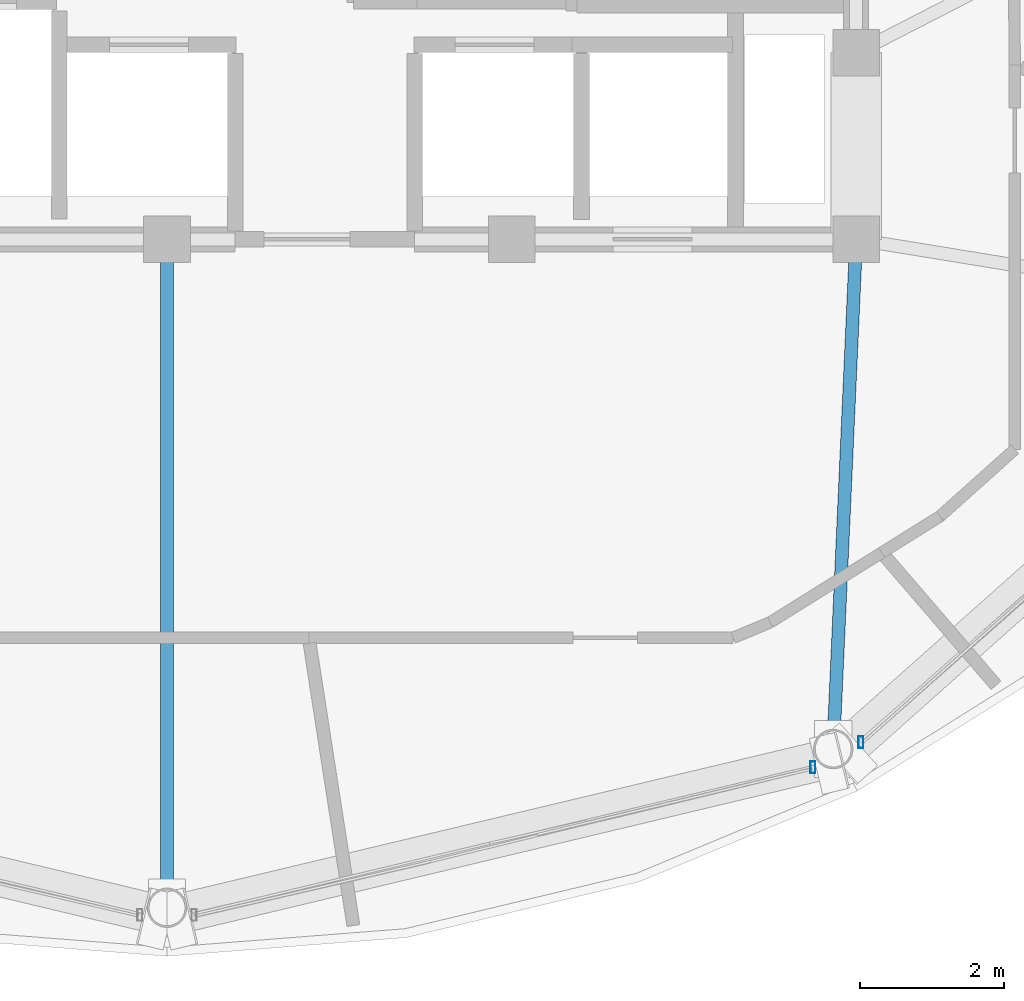
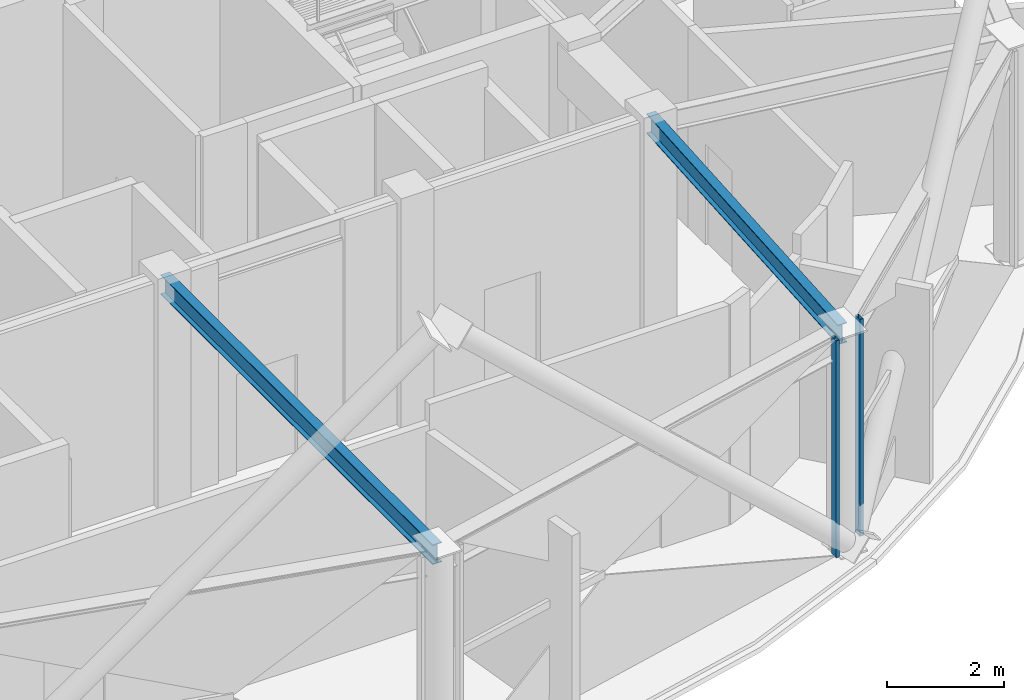
# One storey, part 6 of 27: 2 beams, 2 members, 2 elements without a shape of their own.
"""IFC4 building model written with IfcOpenShell, lengths in metres."""

from ifc_helpers import new_model, si_unit, direction, frame, origin, origin_2d, place, context, subcontext, project, spatial, hollow_rectangle, i_section, extrude, material, layer, layer_set, material_profile, profile_set, type_object, element, aggregate, save


model = new_model("IFC4")

# Units and contexts
model_context = context("Model", 3, precision=1e-05, world=origin(), true_north=direction((0.0, 1.0)))
body_context = subcontext(model_context, "Body", "Model", "MODEL_VIEW")
ifc_project = project(units=[si_unit("LENGTHUNIT", "METRE"), si_unit("AREAUNIT", "SQUARE_METRE"), si_unit("VOLUMEUNIT", "CUBIC_METRE"), si_unit("PLANEANGLEUNIT", "RADIAN"), si_unit("MASSUNIT", "GRAM", prefix="KILO")], contexts=[model_context])

# Site, building, storey
site_placement = place(None, origin())
site = spatial("IfcSite", under=ifc_project, at=site_placement, CompositionType="ELEMENT")
building_placement = place(site_placement, origin())
building = spatial("IfcBuilding", under=site, at=building_placement, Name="Vantalir Tower", CompositionType="ELEMENT")
storey_placement = place(building_placement, frame((0.0, 0.0, 290.10009765625)))
storey = spatial("IfcBuildingStorey", under=building, at=storey_placement, Name="L73", CompositionType="ELEMENT", Elevation=290.10009765625)

# Beams
ifc_material_1 = material(Name="Steel S355", Category="steel")
ifc_material_profile_1 = material_profile(ifc_material_1, i_section(OverallWidth=0.179931640625, OverallDepth=0.4130859375, WebThickness=0.009521484375, FlangeThickness=0.01611328125, at=origin_2d()), Name="Steel S355")
ifc_profile_set_1 = profile_set([ifc_material_profile_1], Name="Steel S355")
beam_type = type_object("IfcBeamType", Name="BM-RB-406x178", PredefinedType="BEAM", material=ifc_profile_set_1)
beam_1_placement = place(storey_placement, frame((31.5, 8.488037109375, 4.413818359375), z_axis=(0.0, 1.0, 0.0), x_axis=(-1.0, 0.0, 0.0)))
element("IfcBeam", 1, at=beam_1_placement, inside=storey, type_object=beam_type, Name="L73 Radial Floor Beam 10", PredefinedType="BEAM", context=body_context, shape_type="SweptSolid", body=[
    extrude(i_section(OverallWidth=0.179931640625, OverallDepth=0.4130859375, WebThickness=0.009521484375, FlangeThickness=0.01611328125, at=origin_2d()), origin(), (0.0, 0.0, 1.0), 9.31201171875),
])
beam_2_placement = place(storey_placement, frame((40.780029296875, 10.699951171875, 4.413818359375), z_axis=(0.045033696072, 0.998985468472, 0.0), x_axis=(-0.998985468472, 0.045033696072, 0.0)))
element("IfcBeam", 2, at=beam_2_placement, inside=storey, type_object=beam_type, Name="L73 Radial Floor Beam 11", PredefinedType="BEAM", context=body_context, shape_type="SweptSolid", body=[
    extrude(i_section(OverallWidth=0.179931640625, OverallDepth=0.4130859375, WebThickness=0.009521484375, FlangeThickness=0.01611328125, at=origin_2d()), origin(), (0.0, 0.0, 1.0), 7.107421875),
])

# Curtain wall, member
ifc_material_2 = material(Name="Champagne-silver PVDF aluminium and double-silver Low-E glass", Category="aluminium")
ifc_layer = layer(ifc_material_2, 0.219970703125)
ifc_layer_set = layer_set([ifc_layer], Name="Champagne-silver PVDF aluminium and double-silver Low-E glass")
curtain_wall_type = type_object("IfcCurtainWallType", Name="CW-DIAMOND-Z4", PredefinedType="USERDEFINED", material=ifc_layer_set)
curtain_wall_1_placement = place(storey_placement, origin())
curtain_wall_1 = element("IfcCurtainWall", 3, at=curtain_wall_1_placement, inside=storey, type_object=curtain_wall_type, Name="L73 Quilted Pyramid-Diamond Curtain Wall S10", ObjectType="UNITISED CURTAIN WALL", PredefinedType="USERDEFINED")
ifc_material_3 = material(Name="Champagne-silver PVDF aluminium 6063-T6", Category="aluminium")
ifc_material_profile_2 = material_profile(ifc_material_3, hollow_rectangle(XDim=0.070068359375, YDim=0.1650390625, WallThickness=0.00390625, at=origin_2d()), Name="Champagne-silver PVDF aluminium 6063-T6")
ifc_profile_set_2 = profile_set([ifc_material_profile_2], Name="Champagne-silver PVDF aluminium 6063-T6")
member_type = type_object("IfcMemberType", Name="CWM-165x70", PredefinedType="MULLION", material=ifc_profile_set_2)
member_1_placement = place(storey_placement, frame((40.49609375, 10.445068359375, 0.044921875), z_axis=(0.0, 0.0, 1.0), x_axis=(1.0, 0.0, 0.0)))
member_1 = element("IfcMember", 4, at=member_1_placement, type_object=member_type, Name="CW-L73-S10 Mullion 2", PredefinedType="MULLION", context=body_context, shape_type="SweptSolid", body=[
    extrude(hollow_rectangle(XDim=0.070068359375, YDim=0.1650390625, WallThickness=0.00390625, at=origin_2d()), origin(), (0.0, 0.0, 1.0), 4.530029296875),
])
aggregate(curtain_wall_1, [member_1])

curtain_wall_2_placement = place(storey_placement, origin())
curtain_wall_2 = element("IfcCurtainWall", 5, at=curtain_wall_2_placement, inside=storey, type_object=curtain_wall_type, Name="L73 Quilted Pyramid-Diamond Curtain Wall S11", ObjectType="UNITISED CURTAIN WALL", PredefinedType="USERDEFINED")
member_2_placement = place(storey_placement, frame((41.166015625, 10.794921875, 0.044921875), z_axis=(0.0, 0.0, 1.0), x_axis=(1.0, 0.0, 0.0)))
member_2 = element("IfcMember", 6, at=member_2_placement, type_object=member_type, Name="CW-L73-S11 Mullion 1", PredefinedType="MULLION", context=body_context, shape_type="SweptSolid", body=[
    extrude(hollow_rectangle(XDim=0.070068359375, YDim=0.1650390625, WallThickness=0.00390625, at=origin_2d()), origin(), (0.0, 0.0, 1.0), 4.530029296875),
])
aggregate(curtain_wall_2, [member_2])

save(model, "model.ifc")
